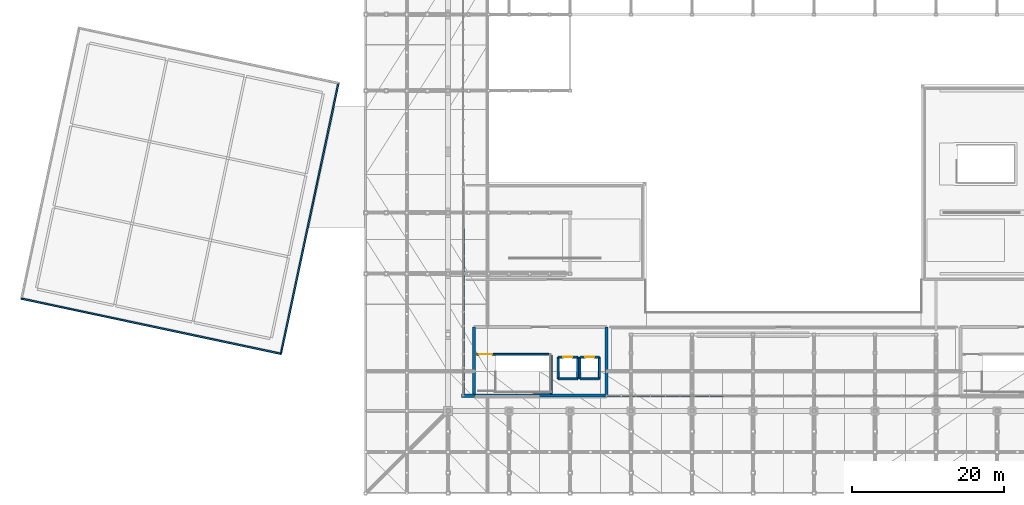
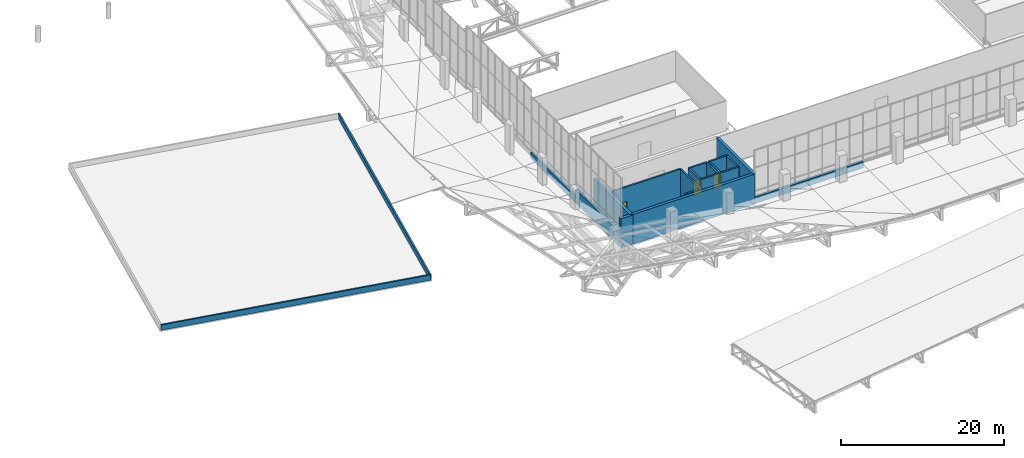
# One storey, part 120 of 137: 21 walls, 3 doors, 3 openings.
"""IFC4 building model written with IfcOpenShell, lengths in metres."""

from ifc_helpers import new_model, si_unit, direction, frame, frame_2d, origin, place, context, subcontext, project, spatial, rectangle, extrude, material, layer, layer_set, type_object, element, fill, save


model = new_model("IFC4")

# Units and contexts
model_context = context("Model", 3, precision=1e-05, world=origin(), true_north=direction((0.0, 1.0)))
body_context = subcontext(model_context, "Body", "Model", "MODEL_VIEW")
ifc_project = project(units=[si_unit("LENGTHUNIT", "METRE"), si_unit("AREAUNIT", "SQUARE_METRE"), si_unit("VOLUMEUNIT", "CUBIC_METRE"), si_unit("PLANEANGLEUNIT", "RADIAN"), si_unit("MASSUNIT", "GRAM", prefix="KILO")], contexts=[model_context])

# Site, building, storey
site_placement = place(None, origin())
site = spatial("IfcSite", under=ifc_project, at=site_placement, CompositionType="ELEMENT")
building_placement = place(site_placement, origin())
building = spatial("IfcBuilding", under=site, at=building_placement, Name="Khorjan Park Terminus", CompositionType="ELEMENT")
storey_placement = place(building_placement, frame((0.0, 0.0, 11.4)))
storey = spatial("IfcBuildingStorey", under=building, at=storey_placement, Name="L02", CompositionType="ELEMENT", Elevation=11.4)

# Walls
ifc_material_1 = material(Name="Concrete C50/60", Category="concrete")
ifc_layer_1 = layer(ifc_material_1, 0.4)
ifc_layer_set_1 = layer_set([ifc_layer_1], Name="Concrete C50/60")
wall_type_1 = type_object("IfcWallType", Name="CW-40", PredefinedType="SHEAR", material=ifc_layer_set_1)
wall_1_placement = place(storey_placement, frame((51.4, 28.0, 0.0), z_axis=(0.0, 0.0, 1.0), x_axis=(1.0, 0.0, 0.0)))
element("IfcWall", 1, at=wall_1_placement, inside=storey, type_object=wall_type_1, Name="West Concourse Core concrete shear wall CW-40 (L02-E1)", PredefinedType="SHEAR", context=body_context, shape_type="SweptSolid", body=[
    extrude(rectangle(XDim=17.4, YDim=0.4, at=frame_2d((8.7, 0.0))), origin(), (0.0, 0.0, 1.0), 4.46),
])
for number, where, z_axis, x_axis, name in (
    (2, (68.8, 28.0, 0.0), (0.0, 0.0, 1.0), (0.0, 1.0, 0.0), "West Concourse Core concrete shear wall CW-40 (L02-E2)"),
    (3, (51.4, 37.0, 0.0), (0.0, 0.0, 1.0), (0.0, -1.0, 0.0), "West Concourse Core concrete shear wall CW-40 (L02-E4)"),
):
    element("IfcWall", number, at=place(storey_placement, frame(where, z_axis=z_axis, x_axis=x_axis)), inside=storey, type_object=wall_type_1, Name=name, PredefinedType="SHEAR", context=body_context, shape_type="SweptSolid", body=[
        extrude(rectangle(XDim=9.0, YDim=0.4, at=frame_2d((4.5, 0.0))), origin(), (0.0, 0.0, 1.0), 4.46),
    ])
ifc_material_2 = material(Name="Pigmented Precast GRC & Concrete C40/50", Category="concrete")
ifc_layer_2 = layer(ifc_material_2, 0.35)
ifc_layer_set_2 = layer_set([ifc_layer_2], Name="Pigmented Precast GRC & Concrete C40/50")
wall_type_2 = type_object("IfcWallType", Name="EW-35", PredefinedType="STANDARD", material=ifc_layer_set_2)
for number, where, z_axis, x_axis, name in (
    (4, (68.8, 28.0, 0.0), (0.0, 0.0, 1.0), (1.0, 0.0, 0.0), "Concourse gallery clerestory sill wall EW-35 (S-2)"),
    (5, (76.5, 28.0, 0.0), (0.0, 0.0, 1.0), (1.0, 0.0, 0.0), "Concourse gallery clerestory sill wall EW-35 (S-3)"),
):
    element("IfcWall", number, at=place(storey_placement, frame(where, z_axis=z_axis, x_axis=x_axis)), inside=storey, type_object=wall_type_2, Name=name, PredefinedType="STANDARD", context=body_context, shape_type="SweptSolid", body=[
        extrude(rectangle(XDim=7.7, YDim=0.35, at=frame_2d((3.85, 0.0))), origin(), (0.0, 0.0, 1.0), 0.95),
    ])
wall_2_placement = place(storey_placement, frame((50.0, 39.0, 0.0), z_axis=(0.0, 0.0, 1.0), x_axis=(0.0, -1.0, 0.0)))
element("IfcWall", 6, at=wall_2_placement, inside=storey, type_object=wall_type_2, Name="Concourse gallery clerestory sill wall EW-35 (W-1)", PredefinedType="STANDARD", context=body_context, shape_type="SweptSolid", body=[
    extrude(rectangle(XDim=11.0, YDim=0.35, at=frame_2d((5.5, 0.0))), origin(), (0.0, 0.0, 1.0), 2.091),
])
wall_3_placement = place(storey_placement, frame((50.0, 50.0, 0.0), z_axis=(0.0, 0.0, 1.0), x_axis=(0.0, -1.0, 0.0)))
element("IfcWall", 7, at=wall_3_placement, inside=storey, type_object=wall_type_2, Name="Concourse gallery clerestory sill wall EW-35 (W-2)", PredefinedType="STANDARD", context=body_context, shape_type="SweptSolid", body=[
    extrude(rectangle(XDim=11.0, YDim=0.35, at=frame_2d((5.5, 0.0))), origin(), (0.0, 0.0, 1.0), 0.95),
])
ifc_layer_3 = layer(ifc_material_2, 0.42)
ifc_layer_set_3 = layer_set([ifc_layer_3], Name="Pigmented Precast GRC & Concrete C40/50")
wall_type_3 = type_object("IfcWallType", Name="EW-42", PredefinedType="STANDARD", material=ifc_layer_set_3)
wall_4_placement = place(storey_placement, frame((49.8, 28.0, 0.0), z_axis=(0.0, 0.0, 1.0), x_axis=(1.0, 0.0, 0.0)))
element("IfcWall", 8, at=wall_4_placement, inside=storey, type_object=wall_type_3, Name="External pigmented-GRC pier wall EW-42 (L02-1)", PredefinedType="STANDARD", context=body_context, shape_type="SweptSolid", body=[
    extrude(rectangle(XDim=1.7, YDim=0.42, at=frame_2d((0.85, 0.0))), origin(), (0.0, 0.0, 1.0), 4.4),
])
ifc_layer_4 = layer(ifc_material_2, 0.22)
ifc_layer_set_4 = layer_set([ifc_layer_4], Name="Pigmented Precast GRC & Concrete C40/50")
wall_type_4 = type_object("IfcWallType", Name="EW-PAR-220", PredefinedType="PARAPET", material=ifc_layer_set_4)
wall_5_placement = place(storey_placement, frame((-7.957, 40.7291, 0.15), z_axis=(0.0, 0.0, 1.0), x_axis=(0.978147712241, -0.207911166215, 0.0)))
element("IfcWall", 9, at=wall_5_placement, inside=storey, type_object=wall_type_4, Name="Pavilion flat-roof perimeter parapet PW-22 (1)", PredefinedType="PARAPET", context=body_context, shape_type="SweptSolid", body=[
    extrude(rectangle(XDim=34.8, YDim=0.22, at=frame_2d((17.4, 0.0))), origin(), (0.0, 0.0, 1.0), 0.8),
])
wall_6_placement = place(storey_placement, frame((26.0825, 33.4938, 0.15), z_axis=(0.0, 0.0, 1.0), x_axis=(0.207912163452, 0.978147500272, 0.0)))
element("IfcWall", 10, at=wall_6_placement, inside=storey, type_object=wall_type_4, Name="Pavilion flat-roof perimeter parapet PW-22 (2)", PredefinedType="PARAPET", context=body_context, shape_type="SweptSolid", body=[
    extrude(rectangle(XDim=36.2999, YDim=0.22, at=frame_2d((18.15, 0.0))), origin(), (0.0, 0.0, 1.0), 0.8),
])
ifc_material_3 = material(Name="Concrete C40/50", Category="concrete")
ifc_layer_5 = layer(ifc_material_3, 0.25)
ifc_layer_set_5 = layer_set([ifc_layer_5], Name="Concrete C40/50")
wall_type_5 = type_object("IfcWallType", Name="SW-25", PredefinedType="SOLIDWALL", material=ifc_layer_set_5)
wall_7_placement = place(storey_placement, frame((62.45, 30.21, 0.0), z_axis=(0.0, 0.0, 1.0), x_axis=(1.0, 0.0, 0.0)))
element("IfcWall", 11, at=wall_7_placement, inside=storey, type_object=wall_type_5, Name="Lift L01 concrete shaft wall SW-25 (L02-1)", PredefinedType="SOLIDWALL", context=body_context, shape_type="SweptSolid", body=[
    extrude(rectangle(XDim=2.54, YDim=0.25, at=frame_2d((1.27, 0.0))), origin(), (0.0, 0.0, 1.0), 4.46),
])
wall_8_placement = place(storey_placement, frame((64.99, 30.21, 0.0), z_axis=(0.0, 0.0, 1.0), x_axis=(0.0, 1.0, 0.0)))
element("IfcWall", 12, at=wall_8_placement, inside=storey, type_object=wall_type_5, Name="Lift L01 concrete shaft wall SW-25 (L02-2)", PredefinedType="SOLIDWALL", context=body_context, shape_type="SweptSolid", body=[
    extrude(rectangle(XDim=2.84, YDim=0.25, at=frame_2d((1.42, 0.0))), origin(), (0.0, 0.0, 1.0), 4.46),
])

# Wall, opening, door
wall_9_placement = place(storey_placement, frame((64.99, 33.05, 0.0), z_axis=(0.0, 0.0, 1.0), x_axis=(-1.0, 0.0, 0.0)))
wall_9 = element("IfcWall", 13, at=wall_9_placement, inside=storey, type_object=wall_type_5, Name="Lift L01 concrete shaft wall SW-25 (L02-3)", PredefinedType="SOLIDWALL", context=body_context, shape_type="SweptSolid", body=[
    extrude(rectangle(XDim=2.54, YDim=0.25, at=frame_2d((1.27, 0.0))), origin(), (0.0, 0.0, 1.0), 4.46),
])
opening_1_placement = place(wall_9_placement, frame((0.67, 0.0, 0.0)))
opening_1 = element("IfcOpeningElement", 14, at=opening_1_placement, cuts=wall_9, Name="Opening LD-12", PredefinedType="OPENING", context=body_context, shape_type="SweptSolid", body=[
    extrude(rectangle(XDim=1.2, YDim=2.2, at=frame_2d((0.6, 1.1))), frame((0.0, 0.135, 0.0), z_axis=(0.0, -1.0, 0.0), x_axis=(1.0, 0.0, 0.0)), (0.0, 0.0, 1.0), 0.27),
])
ifc_material_4 = material(Name="Stainless-Steel Lift Landing Sliding Door", Category="steel")
door_type_1 = type_object("IfcDoorType", Name="LD-12", OperationType="NOTDEFINED", PredefinedType="DOOR", material=ifc_material_4)
door_1_placement = place(opening_1_placement, origin())
door_1 = element("IfcDoor", 15, at=door_1_placement, inside=storey, type_object=door_type_1, Name="Lift L01 sliding landing door LD-12 (L02)", OperationType="SLIDING_TO_LEFT", OverallHeight=2.2, OverallWidth=1.2, PredefinedType="DOOR", context=body_context, shape_type="SweptSolid", body=[
    extrude(rectangle(XDim=1.2, YDim=2.2, at=frame_2d((0.6, 1.1))), frame((0.0, 0.025, 0.0), z_axis=(0.0, -1.0, 0.0), x_axis=(1.0, 0.0, 0.0)), (0.0, 0.0, 1.0), 0.05),
])
fill(opening_1, door_1)

# Walls
wall_10_placement = place(storey_placement, frame((62.45, 33.05, 0.0), z_axis=(0.0, 0.0, 1.0), x_axis=(0.0, -1.0, 0.0)))
element("IfcWall", 16, at=wall_10_placement, inside=storey, type_object=wall_type_5, Name="Lift L01 concrete shaft wall SW-25 (L02-4)", PredefinedType="SOLIDWALL", context=body_context, shape_type="SweptSolid", body=[
    extrude(rectangle(XDim=2.84, YDim=0.25, at=frame_2d((1.42, 0.0))), origin(), (0.0, 0.0, 1.0), 4.46),
])
wall_11_placement = place(storey_placement, frame((65.31, 30.21, 0.0), z_axis=(0.0, 0.0, 1.0), x_axis=(1.0, 0.0, 0.0)))
element("IfcWall", 17, at=wall_11_placement, inside=storey, type_object=wall_type_5, Name="Lift L02 concrete shaft wall SW-25 (L02-1)", PredefinedType="SOLIDWALL", context=body_context, shape_type="SweptSolid", body=[
    extrude(rectangle(XDim=2.54, YDim=0.25, at=frame_2d((1.27, 0.0))), origin(), (0.0, 0.0, 1.0), 4.46),
])
wall_12_placement = place(storey_placement, frame((67.85, 30.21, 0.0), z_axis=(0.0, 0.0, 1.0), x_axis=(0.0, 1.0, 0.0)))
element("IfcWall", 18, at=wall_12_placement, inside=storey, type_object=wall_type_5, Name="Lift L02 concrete shaft wall SW-25 (L02-2)", PredefinedType="SOLIDWALL", context=body_context, shape_type="SweptSolid", body=[
    extrude(rectangle(XDim=2.84, YDim=0.25, at=frame_2d((1.42, 0.0))), origin(), (0.0, 0.0, 1.0), 4.46),
])

# Wall, opening, door
wall_13_placement = place(storey_placement, frame((67.85, 33.05, 0.0), z_axis=(0.0, 0.0, 1.0), x_axis=(-1.0, 0.0, 0.0)))
wall_13 = element("IfcWall", 19, at=wall_13_placement, inside=storey, type_object=wall_type_5, Name="Lift L02 concrete shaft wall SW-25 (L02-3)", PredefinedType="SOLIDWALL", context=body_context, shape_type="SweptSolid", body=[
    extrude(rectangle(XDim=2.54, YDim=0.25, at=frame_2d((1.27, 0.0))), origin(), (0.0, 0.0, 1.0), 4.46),
])
opening_2_placement = place(wall_13_placement, frame((0.67, 0.0, 0.0)))
opening_2 = element("IfcOpeningElement", 20, at=opening_2_placement, cuts=wall_13, Name="Opening LD-12", PredefinedType="OPENING", context=body_context, shape_type="SweptSolid", body=[
    extrude(rectangle(XDim=1.2, YDim=2.2, at=frame_2d((0.6, 1.1))), frame((0.0, 0.135, 0.0), z_axis=(0.0, -1.0, 0.0), x_axis=(1.0, 0.0, 0.0)), (0.0, 0.0, 1.0), 0.27),
])
door_2_placement = place(opening_2_placement, origin())
door_2 = element("IfcDoor", 21, at=door_2_placement, inside=storey, type_object=door_type_1, Name="Lift L02 sliding landing door LD-12 (L02)", OperationType="SLIDING_TO_RIGHT", OverallHeight=2.2, OverallWidth=1.2, PredefinedType="DOOR", context=body_context, shape_type="SweptSolid", body=[
    extrude(rectangle(XDim=1.2, YDim=2.2, at=frame_2d((0.6, 1.1))), frame((0.0, 0.025, 0.0), z_axis=(0.0, -1.0, 0.0), x_axis=(1.0, 0.0, 0.0)), (0.0, 0.0, 1.0), 0.05),
])
fill(opening_2, door_2)

# Wall
wall_14_placement = place(storey_placement, frame((65.31, 33.05, 0.0), z_axis=(0.0, 0.0, 1.0), x_axis=(0.0, -1.0, 0.0)))
element("IfcWall", 22, at=wall_14_placement, inside=storey, type_object=wall_type_5, Name="Lift L02 concrete shaft wall SW-25 (L02-4)", PredefinedType="SOLIDWALL", context=body_context, shape_type="SweptSolid", body=[
    extrude(rectangle(XDim=2.84, YDim=0.25, at=frame_2d((1.42, 0.0))), origin(), (0.0, 0.0, 1.0), 4.46),
])

# Wall, opening, door
wall_15_placement = place(storey_placement, frame((51.78, 33.435, 0.0), z_axis=(0.0, 0.0, 1.0), x_axis=(1.0, 0.0, 0.0)))
wall_15 = element("IfcWall", 23, at=wall_15_placement, inside=storey, type_object=wall_type_5, Name="West Concourse Core structural stairwell wall SW-25 (L02)", PredefinedType="SOLIDWALL", context=body_context, shape_type="SweptSolid", body=[
    extrude(rectangle(XDim=9.745, YDim=0.25, at=frame_2d((4.8725, 0.0))), origin(), (0.0, 0.0, 1.0), 4.46),
])
opening_3_placement = place(wall_15_placement, frame((0.25, 0.0, 0.0)))
opening_3 = element("IfcOpeningElement", 24, at=opening_3_placement, cuts=wall_15, Name="Opening FD-18", PredefinedType="OPENING", context=body_context, shape_type="SweptSolid", body=[
    extrude(rectangle(XDim=1.8, YDim=2.25, at=frame_2d((0.9, 1.125))), frame((0.0, 0.135, 0.0), z_axis=(0.0, -1.0, 0.0), x_axis=(1.0, 0.0, 0.0)), (0.0, 0.0, 1.0), 0.27),
])
ifc_material_5 = material(Name="Fire-Rated Steel Double Door", Category="steel")
door_type_2 = type_object("IfcDoorType", Name="FD-18", OperationType="NOTDEFINED", PredefinedType="DOOR", material=ifc_material_5)
door_3_placement = place(opening_3_placement, origin())
door_3 = element("IfcDoor", 25, at=door_3_placement, inside=storey, type_object=door_type_2, Name="West Concourse Core stairwell fire door FD-18 (L02)", OperationType="DOUBLE_DOOR_SINGLE_SWING", OverallHeight=2.25, OverallWidth=1.8, PredefinedType="DOOR", context=body_context, shape_type="SweptSolid", body=[
    extrude(rectangle(XDim=1.8, YDim=2.25, at=frame_2d((0.9, 1.125))), frame((0.0, 0.025, 0.0), z_axis=(0.0, -1.0, 0.0), x_axis=(1.0, 0.0, 0.0)), (0.0, 0.0, 1.0), 0.05),
])
fill(opening_3, door_3)

# Walls
wall_16_placement = place(storey_placement, frame((61.525, 28.2, 0.0), z_axis=(0.0, 0.0, 1.0), x_axis=(0.0, 1.0, 0.0)))
element("IfcWall", 26, at=wall_16_placement, inside=storey, type_object=wall_type_5, Name="West Concourse Core stairwell end bearing wall SW-25 (L02)", PredefinedType="SOLIDWALL", context=body_context, shape_type="SweptSolid", body=[
    extrude(rectangle(XDim=5.11, YDim=0.25, at=frame_2d((2.555, 0.0))), origin(), (0.0, 0.0, 1.0), 4.46),
])
wall_17_placement = place(storey_placement, frame((59.2, 28.425, 0.0), z_axis=(0.0, 0.0, 1.0), x_axis=(1.0, 0.0, 0.0)))
element("IfcWall", 27, at=wall_17_placement, inside=storey, type_object=wall_type_5, Name="West Concourse Core half-landing bearing wall SW-25 (L02)", PredefinedType="SOLIDWALL", context=body_context, shape_type="SweptSolid", body=[
    extrude(rectangle(XDim=2.2, YDim=0.25, at=frame_2d((1.1, 0.0))), origin(), (0.0, 0.0, 1.0), 4.46),
])

save(model, "model.ifc")
